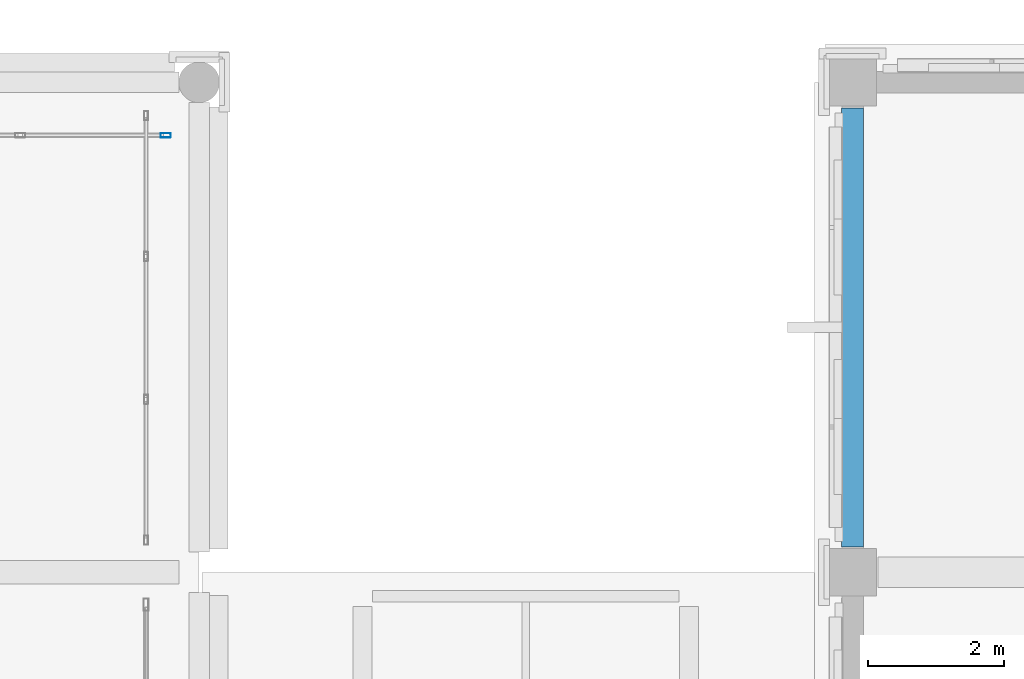
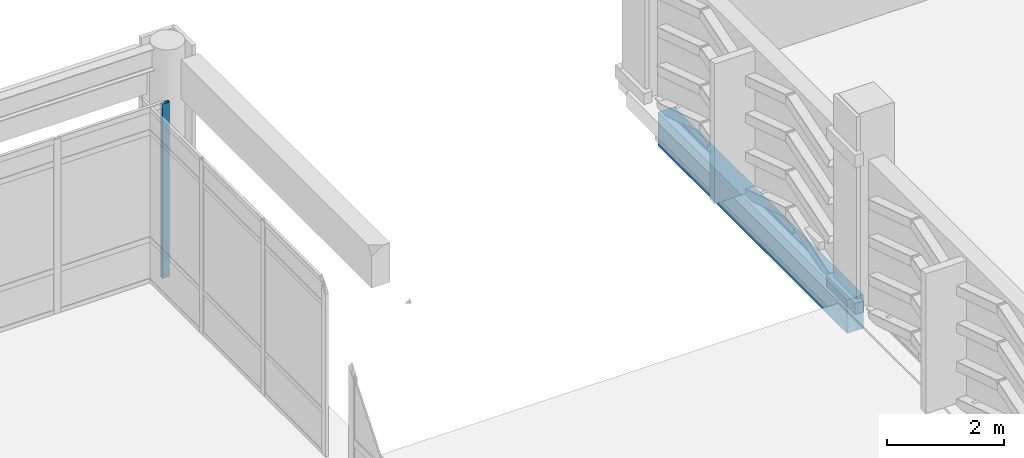
# One storey, part 74 of 180: 1 beam, 1 member, 1 element without a shape of its own.
"""IFC4 building model written with IfcOpenShell, lengths in metres."""

from ifc_helpers import new_model, si_unit, direction, frame, origin, origin_2d, place, context, subcontext, project, spatial, rectangle, hollow_rectangle, extrude, material, layer, layer_set, material_profile, profile_set, type_object, element, aggregate, save


model = new_model("IFC4")

# Units and contexts
model_context = context("Model", 3, precision=1e-05, world=origin(), true_north=direction((0.0, 1.0)))
body_context = subcontext(model_context, "Body", "Model", "MODEL_VIEW")
ifc_project = project(units=[si_unit("LENGTHUNIT", "METRE"), si_unit("AREAUNIT", "SQUARE_METRE"), si_unit("VOLUMEUNIT", "CUBIC_METRE"), si_unit("PLANEANGLEUNIT", "RADIAN"), si_unit("MASSUNIT", "GRAM", prefix="KILO")], contexts=[model_context])

# Site, building, storey
site_placement = place(None, origin())
site = spatial("IfcSite", under=ifc_project, at=site_placement, CompositionType="ELEMENT")
building_placement = place(site_placement, origin())
building = spatial("IfcBuilding", under=site, at=building_placement, Name="Asteropetra Specialist Clinic", CompositionType="ELEMENT")
storey_placement = place(building_placement, frame((0.0, 0.0, 4.419921875)))
storey = spatial("IfcBuildingStorey", under=building, at=storey_placement, Name="L01", CompositionType="ELEMENT", Elevation=4.419921875)

# Curtain wall, member
ifc_material_1 = material(Name="Aluminium and low-E glass", Category="aluminium")
ifc_layer = layer(ifc_material_1, 0.14990234375)
ifc_layer_set = layer_set([ifc_layer], Name="Aluminium and low-E glass")
curtain_wall_type = type_object("IfcCurtainWallType", Name="CW-SYS-11", PredefinedType="USERDEFINED", material=ifc_layer_set)
curtain_wall_placement = place(storey_placement, origin())
curtain_wall = element("IfcCurtainWall", 1, at=curtain_wall_placement, inside=storey, type_object=curtain_wall_type, Name="Curtain Wall CW-175", ObjectType="STICK GLAZED COLONNADE", PredefinedType="USERDEFINED")
ifc_material_2 = material(Name="Aluminium 6063-T6", Category="aluminium")
ifc_material_profile_1 = material_profile(ifc_material_2, hollow_rectangle(XDim=0.06494140625, YDim=0.14990234375, WallThickness=0.00390625, InnerFilletRadius=0.00390625, OuterFilletRadius=0.008056640625, at=origin_2d()), Name="MUL 150x65x4.0")
ifc_profile_set_1 = profile_set([ifc_material_profile_1], Name="Aluminium 6063-T6")
member_type = type_object("IfcMemberType", Name="CWM-150x65", PredefinedType="MULLION", material=ifc_profile_set_1)
member_placement = place(storey_placement, frame((95.507568359375, 61.6201171875, 0.0), z_axis=(0.0, 0.0, 1.0), x_axis=(0.0, -1.0, 0.0)))
member = element("IfcMember", 2, at=member_placement, type_object=member_type, Name="CW-175 mullion 1", PredefinedType="MULLION", context=body_context, shape_type="SweptSolid", body=[
    extrude(hollow_rectangle(XDim=0.06494140625, YDim=0.14990234375, WallThickness=0.00390625, InnerFilletRadius=0.00390625, OuterFilletRadius=0.008056640625, at=origin_2d()), origin(), (0.0, 0.0, 1.0), 3.630126953125),
])
aggregate(curtain_wall, [member])

# Beam
ifc_material_3 = material(Name="Concrete C35/45", Category="concrete")
ifc_material_profile_2 = material_profile(ifc_material_3, rectangle(XDim=0.320068359375, YDim=0.699951171875, at=origin_2d()), Name="RCS 320x700")
ifc_profile_set_2 = profile_set([ifc_material_profile_2], Name="Concrete C35/45")
beam_type = type_object("IfcBeamType", Name="SPN-RC320x700", PredefinedType="SPANDREL", material=ifc_profile_set_2)
beam_placement = place(storey_placement, frame((105.60009765625, 55.574951171875, -0.64990234375), z_axis=(0.0, 1.0, 0.0), x_axis=(-1.0, 0.0, 0.0)))
element("IfcBeam", 3, at=beam_placement, inside=storey, type_object=beam_type, Name="Beam BSPN02-0549", PredefinedType="SPANDREL", context=body_context, shape_type="SweptSolid", body=[
    extrude(rectangle(XDim=0.320068359375, YDim=0.699951171875, at=origin_2d()), origin(), (0.0, 0.0, 1.0), 6.449951171875),
])

save(model, "model.ifc")
